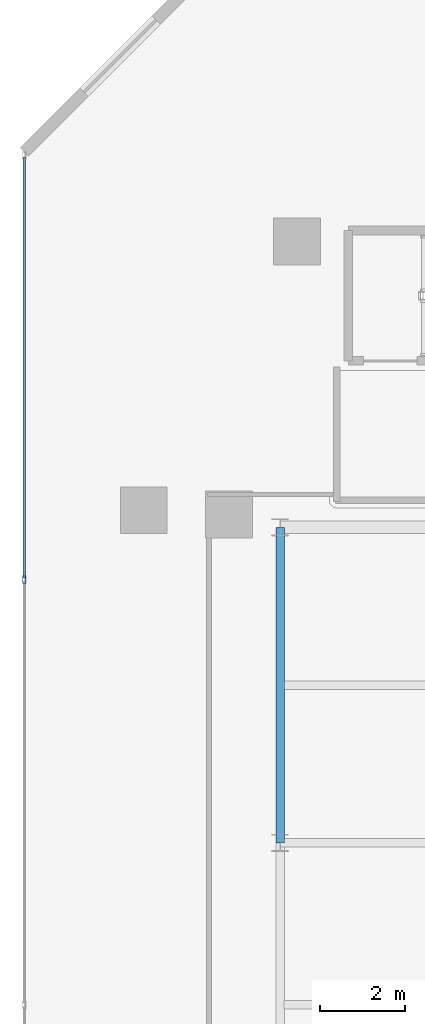
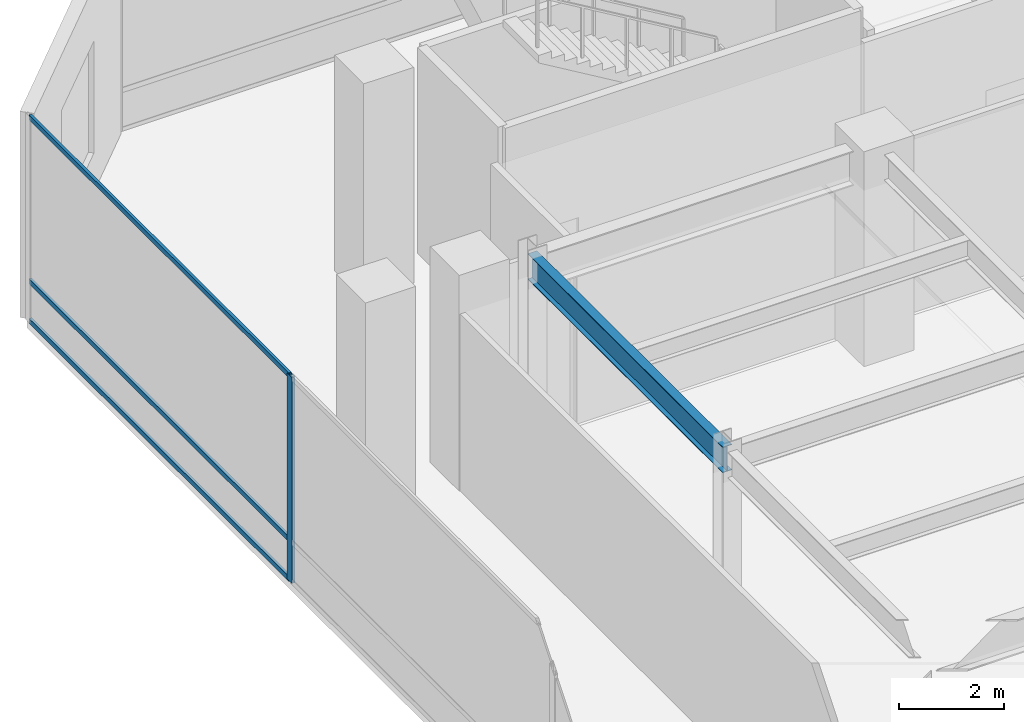
# One storey, part 15 of 42: 4 members, 1 beam, 1 element without a shape of its own.
"""IFC4 building model written with IfcOpenShell, lengths in metres."""

from ifc_helpers import new_model, si_unit, direction, frame, origin, origin_2d, place, context, subcontext, project, spatial, hollow_rectangle, i_section, extrude, material, layer, layer_set, material_profile, profile_set, type_object, element, aggregate, save


model = new_model("IFC4")

# Units and contexts
model_context = context("Model", 3, precision=1e-05, world=origin(), true_north=direction((0.0, 1.0)))
body_context = subcontext(model_context, "Body", "Model", "MODEL_VIEW")
ifc_project = project(units=[si_unit("LENGTHUNIT", "METRE"), si_unit("AREAUNIT", "SQUARE_METRE"), si_unit("VOLUMEUNIT", "CUBIC_METRE"), si_unit("PLANEANGLEUNIT", "RADIAN"), si_unit("MASSUNIT", "GRAM", prefix="KILO")], contexts=[model_context])

# Site, building, storey
site_placement = place(None, origin())
site = spatial("IfcSite", under=ifc_project, at=site_placement, CompositionType="ELEMENT")
building_placement = place(site_placement, origin())
building = spatial("IfcBuilding", under=site, at=building_placement, Name="Qianvela Tower", CompositionType="ELEMENT")
storey_placement = place(building_placement, frame((0.0, 0.0, 6.0)))
storey = spatial("IfcBuildingStorey", under=building, at=storey_placement, Name="L01", CompositionType="ELEMENT", Elevation=6.0)

# Beam
ifc_material_1 = material(Name="Steel Q355B", Category="steel")
ifc_material_profile_1 = material_profile(ifc_material_1, i_section(OverallWidth=0.199951171875, OverallDepth=0.60009765625, WebThickness=0.010986328125, FlangeThickness=0.01708984375, at=origin_2d()), Name="HN600x200x11x17")
ifc_profile_set_1 = profile_set([ifc_material_profile_1], Name="Steel Q355B")
beam_type = type_object("IfcBeamType", Name="BM-HN600-GIRD", PredefinedType="BEAM", material=ifc_profile_set_1)
beam_placement = place(storey_placement, frame((7.5, 29.800048828125, 4.47802734375), z_axis=(0.0, 1.0, 0.0), x_axis=(-1.0, 0.0, 0.0)))
element("IfcBeam", 1, at=beam_placement, inside=storey, type_object=beam_type, Name="L01 North-South Grid Girder 18", PredefinedType="BEAM", context=body_context, shape_type="SweptSolid", body=[
    extrude(i_section(OverallWidth=0.199951171875, OverallDepth=0.60009765625, WebThickness=0.010986328125, FlangeThickness=0.01708984375, at=origin_2d()), origin(), (0.0, 0.0, 1.0), 7.39990234375),
])

# Curtain wall, members
ifc_material_2 = material(Name="Anodised Architectural Aluminium and Low-E Glass", Category="aluminium")
ifc_layer = layer(ifc_material_2, 0.179931640625)
ifc_layer_set = layer_set([ifc_layer], Name="Anodised Architectural Aluminium and Low-E Glass")
curtain_wall_type = type_object("IfcCurtainWallType", Name="CW-COMMONS", PredefinedType="USERDEFINED", material=ifc_layer_set)
curtain_wall_placement = place(storey_placement, origin())
curtain_wall = element("IfcCurtainWall", 2, at=curtain_wall_placement, inside=storey, type_object=curtain_wall_type, Name="L01 CW-COMMONS Curtain Wall 07", ObjectType="CURTAIN_WALL_SYSTEM", PredefinedType="USERDEFINED")
ifc_material_3 = material(Name="Anodised Architectural Aluminium 6063-T6", Category="aluminium")
ifc_material_profile_2 = material_profile(ifc_material_3, hollow_rectangle(XDim=0.070068359375, YDim=0.179931640625, WallThickness=0.0048828125, at=origin_2d()), Name="ALU-MULL-70x180")
ifc_profile_set_2 = profile_set([ifc_material_profile_2], Name="Anodised Architectural Aluminium 6063-T6")
member_type_1 = type_object("IfcMemberType", Name="CW-COMMONS-MULL", PredefinedType="MULLION", material=ifc_profile_set_2)
member_1_placement = place(storey_placement, frame((1.5, 35.97509765625, 0.0), z_axis=(0.0, 0.0, 1.0), x_axis=(1.0, 0.0, 0.0)))
member_1 = element("IfcMember", 3, at=member_1_placement, type_object=member_type_1, Name="CW-2 mullion 2", PredefinedType="MULLION", context=body_context, shape_type="SweptSolid", body=[
    extrude(hollow_rectangle(XDim=0.070068359375, YDim=0.179931640625, WallThickness=0.0048828125, at=origin_2d()), origin(), (0.0, 0.0, 1.0), 4.780029296875),
])
ifc_material_4 = material(Name="Anodised Architectural Aluminium 6063-T6", Category="aluminium")
ifc_material_profile_3 = material_profile(ifc_material_4, hollow_rectangle(XDim=0.06005859375, YDim=0.114990234375, WallThickness=0.00390625, at=origin_2d()), Name="ALU-TRAN-60x115")
ifc_profile_set_3 = profile_set([ifc_material_profile_3], Name="Anodised Architectural Aluminium 6063-T6")
member_type_2 = type_object("IfcMemberType", Name="CW-COMMONS-TRAN", PredefinedType="USERDEFINED", material=ifc_profile_set_3)
member_2_placement = place(storey_placement, frame((1.5, 45.8798828125, 0.030029296875), z_axis=(0.0, -1.0, 0.0), x_axis=(1.0, 0.0, 0.0)))
member_2 = element("IfcMember", 4, at=member_2_placement, type_object=member_type_2, Name="CW-2 transom 1.1", ObjectType="TRANSOM", PredefinedType="USERDEFINED", context=body_context, shape_type="SweptSolid", body=[
    extrude(hollow_rectangle(XDim=0.06005859375, YDim=0.114990234375, WallThickness=0.00390625, at=origin_2d()), origin(), (0.0, 0.0, 1.0), 9.869873046875),
])
member_3_placement = place(storey_placement, frame((1.5, 45.8798828125, 0.949951171875), z_axis=(0.0, -1.0, 0.0), x_axis=(1.0, 0.0, 0.0)))
member_3 = element("IfcMember", 5, at=member_3_placement, type_object=member_type_2, Name="CW-2 transom 1.2", ObjectType="TRANSOM", PredefinedType="USERDEFINED", context=body_context, shape_type="SweptSolid", body=[
    extrude(hollow_rectangle(XDim=0.06005859375, YDim=0.114990234375, WallThickness=0.00390625, at=origin_2d()), origin(), (0.0, 0.0, 1.0), 9.869873046875),
])
member_4_placement = place(storey_placement, frame((1.5, 45.8798828125, 4.75), z_axis=(0.0, -1.0, 0.0), x_axis=(1.0, 0.0, 0.0)))
member_4 = element("IfcMember", 6, at=member_4_placement, type_object=member_type_2, Name="CW-2 transom 1.3", ObjectType="TRANSOM", PredefinedType="USERDEFINED", context=body_context, shape_type="SweptSolid", body=[
    extrude(hollow_rectangle(XDim=0.06005859375, YDim=0.114990234375, WallThickness=0.00390625, at=origin_2d()), origin(), (0.0, 0.0, 1.0), 9.869873046875),
])
aggregate(curtain_wall, [member_1, member_2, member_3, member_4])

save(model, "model.ifc")
